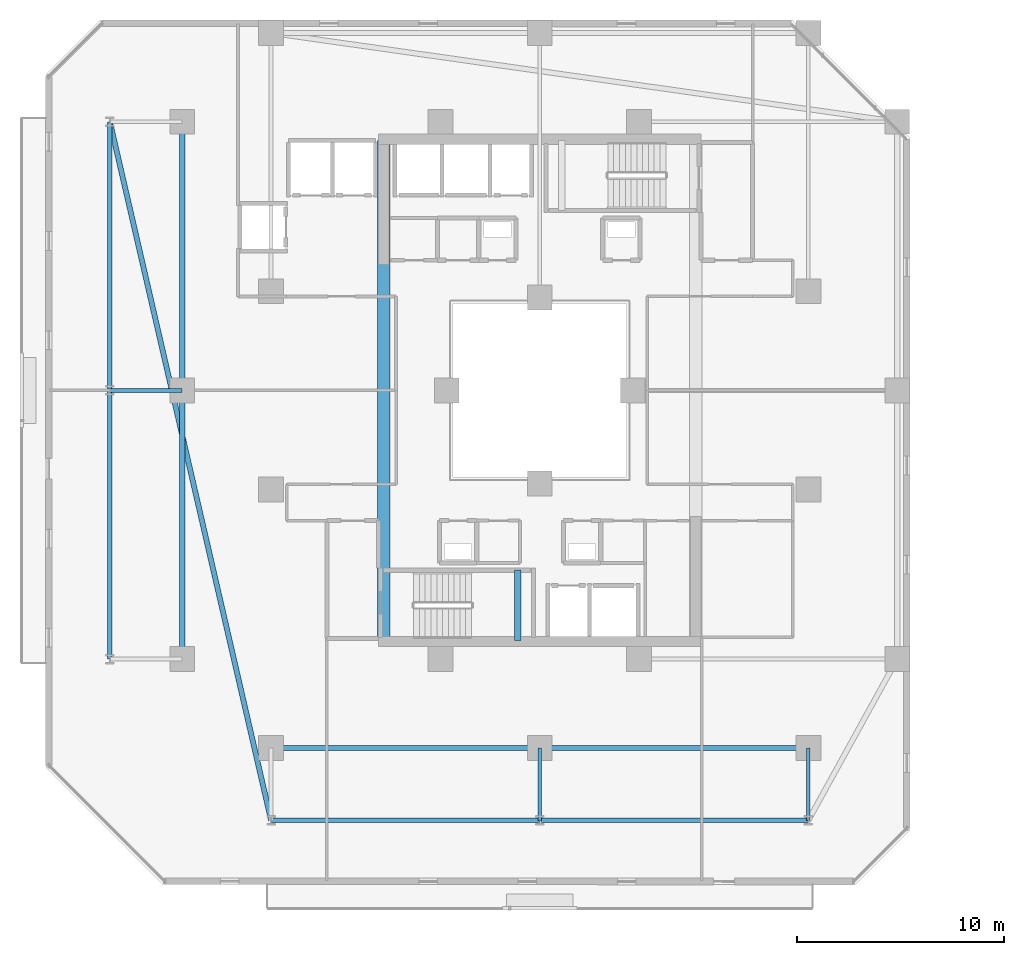
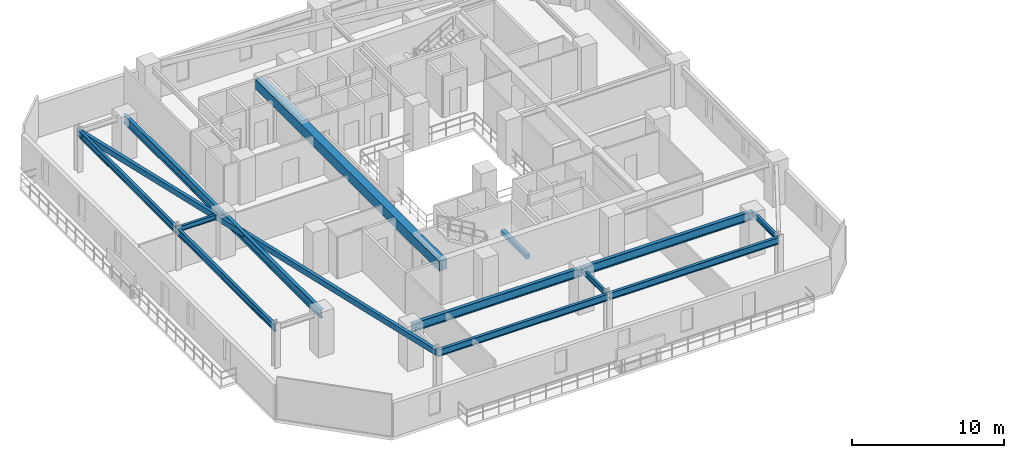
# One storey, part 4 of 31: 14 beams.
"""IFC4 building model written with IfcOpenShell, lengths in metres."""

from ifc_helpers import new_model, si_unit, direction, frame, origin, origin_2d, place, context, subcontext, project, spatial, rectangle, hollow_rectangle, i_section, extrude, material, material_profile, profile_set, type_object, element, save


model = new_model("IFC4")

# Units and contexts
model_context = context("Model", 3, precision=1e-05, world=origin(), true_north=direction((0.0, 1.0)))
body_context = subcontext(model_context, "Body", "Model", "MODEL_VIEW")
ifc_project = project(units=[si_unit("LENGTHUNIT", "METRE"), si_unit("AREAUNIT", "SQUARE_METRE"), si_unit("VOLUMEUNIT", "CUBIC_METRE"), si_unit("PLANEANGLEUNIT", "RADIAN"), si_unit("MASSUNIT", "GRAM", prefix="KILO")], contexts=[model_context])

# Site, building, storey
site_placement = place(None, origin())
site = spatial("IfcSite", under=ifc_project, at=site_placement, CompositionType="ELEMENT")
building_placement = place(site_placement, origin())
building = spatial("IfcBuilding", under=site, at=building_placement, Name="Thornwick Lancets Civic Towers", CompositionType="ELEMENT")
storey_placement = place(building_placement, frame((0.0, 0.0, 126.89990234375)))
storey = spatial("IfcBuildingStorey", under=building, at=storey_placement, Name="L33", CompositionType="ELEMENT", Elevation=126.89990234375)

# Beams
ifc_material_1 = material(Name="Concrete C60/75", Category="concrete")
ifc_material_profile_1 = material_profile(ifc_material_1, rectangle(XDim=0.60009765625, YDim=0.800048828125, at=origin_2d()), Name="RC 600x800")
ifc_profile_set_1 = profile_set([ifc_material_profile_1], Name="Concrete C60/75")
beam_type_1 = type_object("IfcBeamType", Name="BM_COUP_RC800", PredefinedType="BEAM", material=ifc_profile_set_1)
beam_1_placement = place(storey_placement, frame((17.949951171875, 14.89990234375, 2.960205078125), z_axis=(0.0, 1.0, 0.0), x_axis=(-1.0, 0.0, 0.0)))
element("IfcBeam", 1, at=beam_1_placement, inside=storey, type_object=beam_type_1, Name="CB-L33-A2", PredefinedType="BEAM", context=body_context, shape_type="SweptSolid", body=[
    extrude(rectangle(XDim=0.60009765625, YDim=0.800048828125, at=origin_2d()), origin(), (0.0, 0.0, 1.0), 24.2001953125),
])
ifc_material_2 = material(Name="Steel S355JR", Category="steel")
ifc_material_profile_2 = material_profile(ifc_material_2, i_section(OverallWidth=0.2119140625, OverallDepth=0.54443359375, WebThickness=0.0126953125, FlangeThickness=0.021240234375, FilletRadius=0.0126953125, at=origin_2d()), Name="UKB 533x210x122")
ifc_profile_set_2 = profile_set([ifc_material_profile_2], Name="Steel S355JR")
beam_type_2 = type_object("IfcBeamType", Name="BM_EDGE_533_122", PredefinedType="SPANDREL", material=ifc_profile_set_2)
beam_2_placement = place(storey_placement, frame((12.5, 6.199951171875, 3.087890625), z_axis=(1.0, 0.0, 0.0), x_axis=(0.0, 1.0, 0.0)))
element("IfcBeam", 2, at=beam_2_placement, inside=storey, type_object=beam_type_2, Name="BM-EDGE-L33-A-S0-1", PredefinedType="SPANDREL", context=body_context, shape_type="SweptSolid", body=[
    extrude(i_section(OverallWidth=0.2119140625, OverallDepth=0.54443359375, WebThickness=0.0126953125, FlangeThickness=0.021240234375, FilletRadius=0.0126953125, at=origin_2d()), origin(), (0.0, 0.0, 1.0), 13.0),
])
beam_3_placement = place(storey_placement, frame((25.580078125, 6.199951171875, 3.087890625), z_axis=(1.0, 0.0, 0.0), x_axis=(0.0, 1.0, 0.0)))
element("IfcBeam", 3, at=beam_3_placement, inside=storey, type_object=beam_type_2, Name="BM-EDGE-L33-A-S0-2", PredefinedType="SPANDREL", context=body_context, shape_type="SweptSolid", body=[
    extrude(i_section(OverallWidth=0.2119140625, OverallDepth=0.54443359375, WebThickness=0.0126953125, FlangeThickness=0.021240234375, FilletRadius=0.0126953125, at=origin_2d()), origin(), (0.0, 0.0, 1.0), 12.919921875),
])
beam_4_placement = place(storey_placement, frame((4.699951171875, 14.0, 3.087890625), z_axis=(0.0, 1.0, 0.0), x_axis=(-1.0, 0.0, 0.0)))
element("IfcBeam", 4, at=beam_4_placement, inside=storey, type_object=beam_type_2, Name="BM-EDGE-L33-A-S3-1", PredefinedType="SPANDREL", context=body_context, shape_type="SweptSolid", body=[
    extrude(i_section(OverallWidth=0.2119140625, OverallDepth=0.54443359375, WebThickness=0.0126953125, FlangeThickness=0.021240234375, FilletRadius=0.0126953125, at=origin_2d()), origin(), (0.0, 0.0, 1.0), 13.0),
])
beam_5_placement = place(storey_placement, frame((4.699951171875, 27.080078125, 3.087890625), z_axis=(0.0, 1.0, 0.0), x_axis=(-1.0, 0.0, 0.0)))
element("IfcBeam", 5, at=beam_5_placement, inside=storey, type_object=beam_type_2, Name="BM-EDGE-L33-A-S3-2", PredefinedType="SPANDREL", context=body_context, shape_type="SweptSolid", body=[
    extrude(i_section(OverallWidth=0.2119140625, OverallDepth=0.54443359375, WebThickness=0.0126953125, FlangeThickness=0.021240234375, FilletRadius=0.0126953125, at=origin_2d()), origin(), (0.0, 0.0, 1.0), 12.919921875),
])
ifc_material_profile_3 = material_profile(ifc_material_2, i_section(OverallWidth=0.255859375, OverallDepth=0.69287109375, WebThickness=0.014404296875, FlangeThickness=0.023681640625, FilletRadius=0.01513671875, at=origin_2d()), Name="UKB 686x254x170")
ifc_profile_set_3 = profile_set([ifc_material_profile_3], Name="Steel S355JR")
beam_type_3 = type_object("IfcBeamType", Name="BM_GIRD_686_170", PredefinedType="BEAM", material=ifc_profile_set_3)
beam_6_placement = place(storey_placement, frame((12.5, 9.699951171875, 3.013671875), z_axis=(1.0, 0.0, 0.0), x_axis=(0.0, 1.0, 0.0)))
element("IfcBeam", 6, at=beam_6_placement, inside=storey, type_object=beam_type_3, Name="BM-SPINE-L33-A-0-1", PredefinedType="BEAM", context=body_context, shape_type="SweptSolid", body=[
    extrude(i_section(OverallWidth=0.255859375, OverallDepth=0.69287109375, WebThickness=0.014404296875, FlangeThickness=0.023681640625, FilletRadius=0.01513671875, at=origin_2d()), origin(), (0.0, 0.0, 1.0), 13.0),
])
beam_7_placement = place(storey_placement, frame((25.580078125, 9.699951171875, 3.013671875), z_axis=(1.0, 0.0, 0.0), x_axis=(0.0, 1.0, 0.0)))
element("IfcBeam", 7, at=beam_7_placement, inside=storey, type_object=beam_type_3, Name="BM-SPINE-L33-A-1-2", PredefinedType="BEAM", context=body_context, shape_type="SweptSolid", body=[
    extrude(i_section(OverallWidth=0.255859375, OverallDepth=0.69287109375, WebThickness=0.014404296875, FlangeThickness=0.023681640625, FilletRadius=0.01513671875, at=origin_2d()), origin(), (0.0, 0.0, 1.0), 12.919921875),
])
beam_8_placement = place(storey_placement, frame((8.199951171875, 14.0, 3.013671875), z_axis=(0.0, 1.0, 0.0), x_axis=(-1.0, 0.0, 0.0)))
element("IfcBeam", 8, at=beam_8_placement, inside=storey, type_object=beam_type_3, Name="BM-SPINE-L33-A-9-10", PredefinedType="BEAM", context=body_context, shape_type="SweptSolid", body=[
    extrude(i_section(OverallWidth=0.255859375, OverallDepth=0.69287109375, WebThickness=0.014404296875, FlangeThickness=0.023681640625, FilletRadius=0.01513671875, at=origin_2d()), origin(), (0.0, 0.0, 1.0), 13.0),
])
beam_9_placement = place(storey_placement, frame((8.199951171875, 27.080078125, 3.013671875), z_axis=(0.0, 1.0, 0.0), x_axis=(-1.0, 0.0, 0.0)))
element("IfcBeam", 9, at=beam_9_placement, inside=storey, type_object=beam_type_3, Name="BM-SPINE-L33-A-10-11", PredefinedType="BEAM", context=body_context, shape_type="SweptSolid", body=[
    extrude(i_section(OverallWidth=0.255859375, OverallDepth=0.69287109375, WebThickness=0.014404296875, FlangeThickness=0.023681640625, FilletRadius=0.01513671875, at=origin_2d()), origin(), (0.0, 0.0, 1.0), 12.919921875),
])
ifc_material_profile_4 = material_profile(ifc_material_2, i_section(OverallWidth=0.179443359375, OverallDepth=0.412841796875, WebThickness=0.009521484375, FlangeThickness=0.01611328125, FilletRadius=0.01025390625, at=origin_2d()), Name="UKB 406x178x74")
ifc_profile_set_4 = profile_set([ifc_material_profile_4], Name="Steel S355JR")
beam_type_4 = type_object("IfcBeamType", Name="BM_JOIST_406_74", PredefinedType="JOIST", material=ifc_profile_set_4)
for number, where, z_axis, x_axis, name in (
    (10, (25.5, 9.699951171875, 3.15380859375), (0.0, -1.0, 0.0), (1.0, 0.0, 0.0), "BM-RAD-L33-A02"),
    (11, (38.5, 9.699951171875, 3.15380859375), (0.0, -1.0, 0.0), (1.0, 0.0, 0.0), "BM-RAD-L33-A03"),
    (12, (8.199951171875, 27.0, 3.15380859375), (-1.0, 0.0, 0.0), (0.0, -1.0, 0.0), "BM-RAD-L33-A11"),
):
    element("IfcBeam", number, at=place(storey_placement, frame(where, z_axis=z_axis, x_axis=x_axis)), inside=storey, type_object=beam_type_4, Name=name, PredefinedType="JOIST", context=body_context, shape_type="SweptSolid", body=[
        extrude(i_section(OverallWidth=0.179443359375, OverallDepth=0.412841796875, WebThickness=0.009521484375, FlangeThickness=0.01611328125, FilletRadius=0.01025390625, at=origin_2d()), origin(), (0.0, 0.0, 1.0), 3.5),
    ])
ifc_material_profile_5 = material_profile(ifc_material_2, hollow_rectangle(XDim=0.25, YDim=0.449951171875, WallThickness=0.01611328125, at=origin_2d()), Name="RHS 450x250x16")
ifc_profile_set_5 = profile_set([ifc_material_profile_5], Name="Steel S355JR")
beam_type_5 = type_object("IfcBeamType", Name="BM_RING_RHS450", PredefinedType="BEAM", material=ifc_profile_set_5)
beam_10_placement = place(storey_placement, frame((4.699951171875, 40.0, 3.135009765625), z_axis=(0.224860534737, -0.974390958454, 0.0), x_axis=(0.974390958454, 0.224860534737, 0.0)))
element("IfcBeam", 13, at=beam_10_placement, inside=storey, type_object=beam_type_5, Name="BM-CHAMF-L33-A-C3", PredefinedType="BEAM", context=body_context, shape_type="SweptSolid", body=[
    extrude(hollow_rectangle(XDim=0.25, YDim=0.449951171875, WallThickness=0.01611328125, at=origin_2d()), origin(), (0.0, 0.0, 1.0), 34.6884765625),
])
ifc_material_3 = material(Name="Concrete C40/50", Category="concrete")
ifc_material_profile_6 = material_profile(ifc_material_3, rectangle(XDim=0.300048828125, YDim=0.35009765625, at=origin_2d()), Name="RC 300x350")
ifc_profile_set_6 = profile_set([ifc_material_profile_6], Name="Concrete C40/50")
beam_type_6 = type_object("IfcBeamType", Name="BM_STAIR_LDG", PredefinedType="BEAM", material=ifc_profile_set_6)
beam_11_placement = place(storey_placement, frame((24.43505859375, 14.89990234375, 1.378173828125), z_axis=(0.0, 1.0, 0.0), x_axis=(-1.0, 0.0, 0.0)))
element("IfcBeam", 14, at=beam_11_placement, inside=storey, type_object=beam_type_6, Name="L33 ST-A1 Landing Support Beam 1", PredefinedType="BEAM", context=body_context, shape_type="SweptSolid", body=[
    extrude(rectangle(XDim=0.300048828125, YDim=0.35009765625, at=origin_2d()), origin(), (0.0, 0.0, 1.0), 3.400146484375),
])

save(model, "model.ifc")
